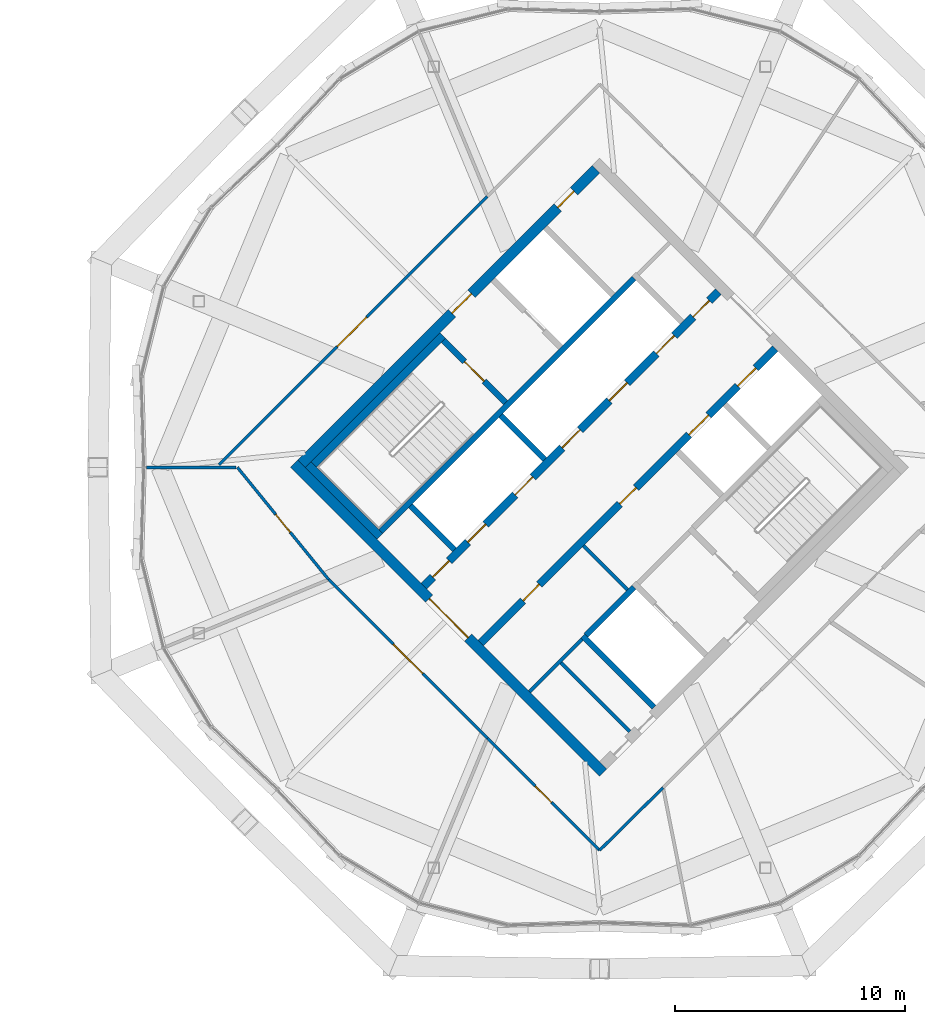
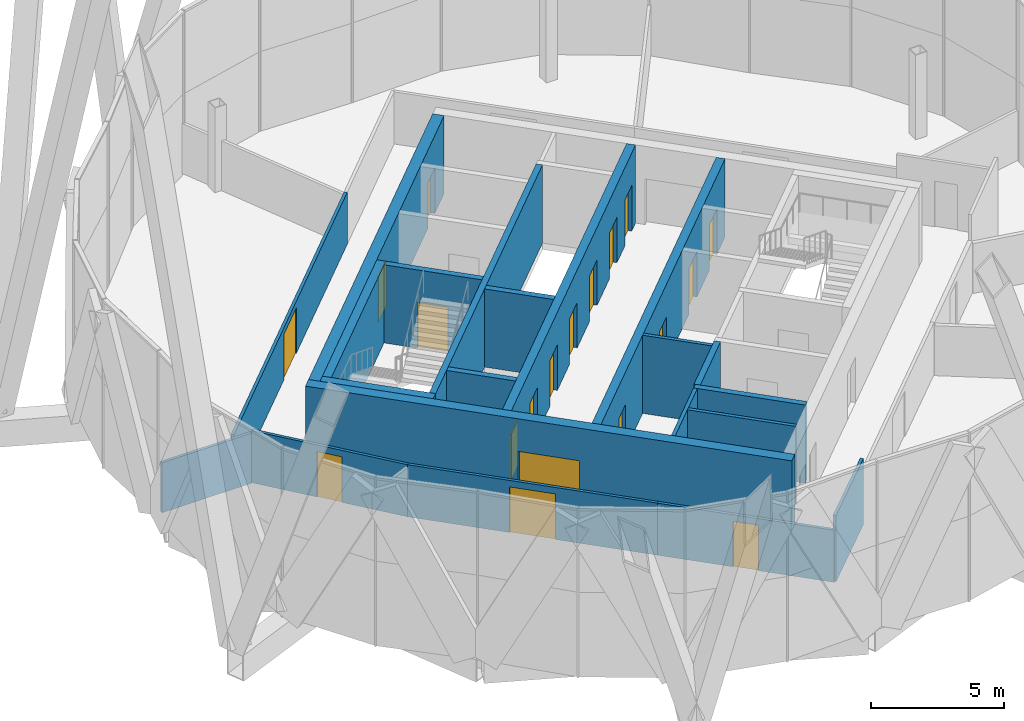
# One storey, part 48 of 53: 21 walls, 19 doors, 19 openings.
"""IFC4 building model written with IfcOpenShell, lengths in metres."""

from ifc_helpers import new_model, si_unit, direction, frame, frame_2d, origin, place, context, subcontext, project, spatial, rectangle, extrude, material, layer, layer_set, type_object, element, fill, save


model = new_model("IFC4")

# Units and contexts
model_context = context("Model", 3, precision=1e-05, world=origin(), true_north=direction((0.0, 1.0)))
body_context = subcontext(model_context, "Body", "Model", "MODEL_VIEW")
ifc_project = project(units=[si_unit("LENGTHUNIT", "METRE"), si_unit("AREAUNIT", "SQUARE_METRE"), si_unit("VOLUMEUNIT", "CUBIC_METRE"), si_unit("PLANEANGLEUNIT", "RADIAN"), si_unit("MASSUNIT", "GRAM", prefix="KILO")], contexts=[model_context])

# Site, building, storey
site_placement = place(None, origin())
site = spatial("IfcSite", under=ifc_project, at=site_placement, CompositionType="ELEMENT")
building_placement = place(site_placement, origin())
building = spatial("IfcBuilding", under=site, at=building_placement, Name="Ogive Gate Towers", CompositionType="ELEMENT")
storey_placement = place(building_placement, frame((0.0, 0.0, 240.60009765625)))
storey = spatial("IfcBuildingStorey", under=building, at=storey_placement, Name="L57", CompositionType="ELEMENT", Elevation=240.60009765625)

# Wall, openings, doors
ifc_material_1 = material(Name="Concrete C60/75", Category="concrete")
ifc_layer_1 = layer(ifc_material_1, 0.449951171875)
ifc_layer_set_1 = layer_set([ifc_layer_1], Name="Core wall 450 mm")
wall_type_1 = type_object("IfcWallType", Name="Core wall 450 mm", PredefinedType="SHEAR", material=ifc_layer_set_1)
wall_1_placement = place(storey_placement, frame((23.042236328125, 0.1591796875, 0.0), z_axis=(0.0, 0.0, 1.0), x_axis=(0.707106781187, 0.707106781187, 0.0)))
wall_1 = element("IfcWall", 1, at=wall_1_placement, inside=storey, type_object=wall_type_1, Name="T2 L57 Core wall 450 mm", PredefinedType="SHEAR", context=body_context, shape_type="SweptSolid", body=[
    extrude(rectangle(XDim=18.099853515625, YDim=0.449951171875, at=frame_2d((9.0498046875, 0.0))), origin(), (0.0, 0.0, 1.0), 3.599853515625),
])
opening_1_placement = place(wall_1_placement, frame((9.25, 0.0, 0.0)))
opening_1 = element("IfcOpeningElement", 2, at=opening_1_placement, cuts=wall_1, Name="Opening KD-T2-L57-18", PredefinedType="OPENING", context=body_context, shape_type="SweptSolid", body=[
    extrude(rectangle(XDim=1.199951171875, YDim=2.10009765625, at=frame_2d((0.60009765625, 1.050048828125))), frame((0.0, 0.23486328125, 0.0), z_axis=(0.0, -1.0, 0.0), x_axis=(1.0, 0.0, 0.0)), (0.0, 0.0, 1.0), 0.469970703125),
])
opening_2_placement = place(wall_1_placement, frame((15.75, 0.0, 0.0)))
opening_2 = element("IfcOpeningElement", 3, at=opening_2_placement, cuts=wall_1, Name="Opening KD-T2-L57-20", PredefinedType="OPENING", context=body_context, shape_type="SweptSolid", body=[
    extrude(rectangle(XDim=1.0, YDim=2.10009765625, at=frame_2d((0.5, 1.050048828125))), frame((0.0, 0.23486328125, 0.0), z_axis=(0.0, -1.0, 0.0), x_axis=(1.0, 0.0, 0.0)), (0.0, 0.0, 1.0), 0.469970703125),
])
ifc_material_2 = material(Name="Timber door", Category="wood")
door_type_1 = type_object("IfcDoorType", Name="Accessible WC door 1000 x 2100", OperationType="NOTDEFINED", PredefinedType="DOOR", material=ifc_material_2)
door_1_placement = place(opening_2_placement, origin())
door_1 = element("IfcDoor", 4, at=door_1_placement, inside=storey, type_object=door_type_1, Name="T2 L57 Core door", OperationType="SINGLE_SWING_LEFT", OverallHeight=2.10009765625, OverallWidth=1.0, PredefinedType="DOOR", context=body_context, shape_type="SweptSolid", body=[
    extrude(rectangle(XDim=1.0, YDim=2.10009765625, at=frame_2d((0.5, 1.050048828125))), frame((0.0, 0.02490234375, 0.0), z_axis=(0.0, -1.0, 0.0), x_axis=(1.0, 0.0, 0.0)), (0.0, 0.0, 1.0), 0.050048828125),
])
fill(opening_2, door_1)
ifc_material_3 = material(Name="Steel fire door", Category="steel")
door_type_2 = type_object("IfcDoorType", Name="Core door FD60S 1200 x 2100", OperationType="NOTDEFINED", PredefinedType="DOOR", material=ifc_material_3)
door_2_placement = place(opening_1_placement, origin())
door_2 = element("IfcDoor", 5, at=door_2_placement, inside=storey, type_object=door_type_2, Name="T2 L57 Fire-fighting lobby door", OperationType="SINGLE_SWING_LEFT", OverallHeight=2.10009765625, OverallWidth=1.199951171875, PredefinedType="DOOR", context=body_context, shape_type="SweptSolid", body=[
    extrude(rectangle(XDim=1.199951171875, YDim=2.10009765625, at=frame_2d((0.60009765625, 1.050048828125))), frame((0.0, 0.02490234375, 0.0), z_axis=(0.0, -1.0, 0.0), x_axis=(1.0, 0.0, 0.0)), (0.0, 0.0, 1.0), 0.050048828125),
])
fill(opening_1, door_2)

# Wall, opening, door
wall_2_placement = place(storey_placement, frame((36.1591796875, -13.27587890625, 0.0), z_axis=(0.0, 0.0, 1.0), x_axis=(-0.707106781187, 0.707106781187, 0.0)))
wall_2 = element("IfcWall", 6, at=wall_2_placement, inside=storey, type_object=wall_type_1, Name="T2 L57 Core wall 450 mm", PredefinedType="SHEAR", context=body_context, shape_type="SweptSolid", body=[
    extrude(rectangle(XDim=19.0, YDim=0.449951171875, at=frame_2d((9.5, 0.0))), origin(), (0.0, 0.0, 1.0), 3.599853515625),
])
opening_3_placement = place(wall_2_placement, frame((8.300048828125, 0.0, 0.0)))
opening_3 = element("IfcOpeningElement", 7, at=opening_3_placement, cuts=wall_2, Name="Opening KD-T2-L57-01", PredefinedType="OPENING", context=body_context, shape_type="SweptSolid", body=[
    extrude(rectangle(XDim=2.39990234375, YDim=2.10009765625, at=frame_2d((1.199951171875, 1.050048828125))), frame((0.0, 0.23486328125, 0.0), z_axis=(0.0, -1.0, 0.0), x_axis=(1.0, 0.0, 0.0)), (0.0, 0.0, 1.0), 0.469970703125),
])
door_type_3 = type_object("IfcDoorType", Name="Core double door FD60S 2400 x 2100", OperationType="DOUBLE_DOOR_SINGLE_SWING", PredefinedType="DOOR", material=ifc_material_3)
door_3_placement = place(opening_3_placement, origin())
door_3 = element("IfcDoor", 8, at=door_3_placement, inside=storey, type_object=door_type_3, Name="T2 L57 Core door double", OperationType="DOUBLE_DOOR_SINGLE_SWING", OverallHeight=2.10009765625, OverallWidth=2.39990234375, PredefinedType="DOOR", context=body_context, shape_type="SweptSolid", body=[
    extrude(rectangle(XDim=2.39990234375, YDim=2.10009765625, at=frame_2d((1.199951171875, 1.050048828125))), frame((0.0, 0.02490234375, 0.0), z_axis=(0.0, -1.0, 0.0), x_axis=(1.0, 0.0, 0.0)), (0.0, 0.0, 1.0), 0.050048828125),
])
fill(opening_3, door_3)

# Wall
ifc_material_4 = material(Name="Gypsum board partition")
ifc_layer_2 = layer(ifc_material_4, 0.125)
ifc_layer_set_2 = layer_set([ifc_layer_2], Name="Partition 125")
wall_type_2 = type_object("IfcWallType", Name="Partition 125", PredefinedType="PARTITIONING", material=ifc_layer_set_2)
wall_3_placement = place(storey_placement, frame((16.291015625, 0.0, 0.0), z_axis=(0.0, 0.0, 1.0), x_axis=(1.0, 0.0, 0.0)))
element("IfcWall", 9, at=wall_3_placement, inside=storey, type_object=wall_type_2, Name="Partition T2-L57-004", PredefinedType="PARTITIONING", context=body_context, shape_type="SweptSolid", body=[
    extrude(rectangle(XDim=3.896484375, YDim=0.125, at=frame_2d((1.9482421875, 0.0))), origin(), (0.0, 0.0, 1.0), 2.2998046875),
])

# Wall, opening, door
wall_4_placement = place(storey_placement, frame((31.120361328125, 11.780517578125, 0.0), z_axis=(0.0, 0.0, 1.0), x_axis=(-0.707084584562, -0.707128977115, 0.0)))
wall_4 = element("IfcWall", 10, at=wall_4_placement, inside=storey, type_object=wall_type_2, Name="Partition T2-L57-010", PredefinedType="PARTITIONING", context=body_context, shape_type="SweptSolid", body=[
    extrude(rectangle(XDim=16.498779296875, YDim=0.125, at=frame_2d((8.24951171875, 0.0))), origin(), (0.0, 0.0, 1.0), 2.39990234375),
])
opening_4_placement = place(wall_4_placement, frame((7.429931640625, 0.0, 0.0)))
opening_4 = element("IfcOpeningElement", 11, at=opening_4_placement, cuts=wall_4, Name="Opening T2-L57-D01", PredefinedType="OPENING", context=body_context, shape_type="SweptSolid", body=[
    extrude(rectangle(XDim=1.800048828125, YDim=2.10009765625, at=frame_2d((0.89990234375, 1.050048828125))), frame((0.0, 0.072509765625, 0.0), z_axis=(0.0, -1.0, 0.0), x_axis=(1.0, 0.0, 0.0)), (0.0, 0.0, 1.0), 0.14501953125),
])
door_type_4 = type_object("IfcDoorType", Name="Door pair 1800", OperationType="NOTDEFINED", PredefinedType="DOOR", material=ifc_material_2)
door_4_placement = place(opening_4_placement, origin())
door_4 = element("IfcDoor", 12, at=door_4_placement, inside=storey, type_object=door_type_4, Name="Door T2-L57-D01", OperationType="DOUBLE_DOOR_DOUBLE_SWING", OverallHeight=2.10009765625, OverallWidth=1.800048828125, PredefinedType="DOOR", context=body_context, shape_type="SweptSolid", body=[
    extrude(rectangle(XDim=1.800048828125, YDim=2.10009765625, at=frame_2d((0.89990234375, 1.050048828125))), frame((0.0, 0.02490234375, 0.0), z_axis=(0.0, -1.0, 0.0), x_axis=(1.0, 0.0, 0.0)), (0.0, 0.0, 1.0), 0.050048828125),
])
fill(opening_4, door_4)

wall_5_placement = place(storey_placement, frame((20.25, 0.0, 0.0), z_axis=(0.0, 0.0, 1.0), x_axis=(0.631049861977, -0.77574227144, 0.0)))
wall_5 = element("IfcWall", 13, at=wall_5_placement, inside=storey, type_object=wall_type_2, Name="Partition T2-L57-011", PredefinedType="PARTITIONING", context=body_context, shape_type="SweptSolid", body=[
    extrude(rectangle(XDim=6.290283203125, YDim=0.125, at=frame_2d((3.14501953125, 0.0))), origin(), (0.0, 0.0, 1.0), 2.39990234375),
])
opening_5_placement = place(wall_5_placement, frame((2.64501953125, 0.0, 0.0)))
opening_5 = element("IfcOpeningElement", 14, at=opening_5_placement, cuts=wall_5, Name="Opening T2-L57-D02", PredefinedType="OPENING", context=body_context, shape_type="SweptSolid", body=[
    extrude(rectangle(XDim=1.0, YDim=2.10009765625, at=frame_2d((0.5, 1.050048828125))), frame((0.0, 0.072509765625, 0.0), z_axis=(0.0, -1.0, 0.0), x_axis=(1.0, 0.0, 0.0)), (0.0, 0.0, 1.0), 0.14501953125),
])
door_type_5 = type_object("IfcDoorType", Name="Door 1000", OperationType="NOTDEFINED", PredefinedType="DOOR", material=ifc_material_2)
door_5_placement = place(opening_5_placement, origin())
door_5 = element("IfcDoor", 15, at=door_5_placement, inside=storey, type_object=door_type_5, Name="Door T2-L57-D02", OperationType="SINGLE_SWING_RIGHT", OverallHeight=2.10009765625, OverallWidth=1.0, PredefinedType="DOOR", context=body_context, shape_type="SweptSolid", body=[
    extrude(rectangle(XDim=1.0, YDim=2.10009765625, at=frame_2d((0.5, 1.050048828125))), frame((0.0, 0.02490234375, 0.0), z_axis=(0.0, -1.0, 0.0), x_axis=(1.0, 0.0, 0.0)), (0.0, 0.0, 1.0), 0.050048828125),
])
fill(opening_5, door_5)

wall_6_placement = place(storey_placement, frame((24.219482421875, -4.879638671875, 0.0), z_axis=(0.0, 0.0, 1.0), x_axis=(0.707106781187, -0.707106781187, 0.0)))
wall_6 = element("IfcWall", 16, at=wall_6_placement, inside=storey, type_object=wall_type_2, Name="Partition T2-L57-012", PredefinedType="PARTITIONING", context=body_context, shape_type="SweptSolid", body=[
    extrude(rectangle(XDim=9.75927734375, YDim=0.125, at=frame_2d((4.879638671875, 0.0))), origin(), (0.0, 0.0, 1.0), 2.39990234375),
])
opening_6_placement = place(wall_6_placement, frame((3.97998046875, 0.0, 0.0)))
opening_6 = element("IfcOpeningElement", 17, at=opening_6_placement, cuts=wall_6, Name="Opening T2-L57-D03", PredefinedType="OPENING", context=body_context, shape_type="SweptSolid", body=[
    extrude(rectangle(XDim=1.800048828125, YDim=2.10009765625, at=frame_2d((0.89990234375, 1.050048828125))), frame((0.0, 0.072509765625, 0.0), z_axis=(0.0, -1.0, 0.0), x_axis=(1.0, 0.0, 0.0)), (0.0, 0.0, 1.0), 0.14501953125),
])
door_6_placement = place(opening_6_placement, origin())
door_6 = element("IfcDoor", 18, at=door_6_placement, inside=storey, type_object=door_type_4, Name="Door T2-L57-D03", OperationType="DOUBLE_DOOR_DOUBLE_SWING", OverallHeight=2.10009765625, OverallWidth=1.800048828125, PredefinedType="DOOR", context=body_context, shape_type="SweptSolid", body=[
    extrude(rectangle(XDim=1.800048828125, YDim=2.10009765625, at=frame_2d((0.89990234375, 1.050048828125))), frame((0.0, 0.02490234375, 0.0), z_axis=(0.0, -1.0, 0.0), x_axis=(1.0, 0.0, 0.0)), (0.0, 0.0, 1.0), 0.050048828125),
])
fill(opening_6, door_6)

wall_7_placement = place(storey_placement, frame((31.120361328125, -11.780517578125, 0.0), z_axis=(0.0, 0.0, 1.0), x_axis=(0.70715985068, -0.70705370771, 0.0)))
wall_7 = element("IfcWall", 19, at=wall_7_placement, inside=storey, type_object=wall_type_2, Name="Partition T2-L57-013", PredefinedType="PARTITIONING", context=body_context, shape_type="SweptSolid", body=[
    extrude(rectangle(XDim=6.900390625, YDim=0.125, at=frame_2d((3.4501953125, 0.0))), origin(), (0.0, 0.0, 1.0), 2.39990234375),
])
opening_7_placement = place(wall_7_placement, frame((2.949951171875, 0.0, 0.0)))
opening_7 = element("IfcOpeningElement", 20, at=opening_7_placement, cuts=wall_7, Name="Opening T2-L57-D04", PredefinedType="OPENING", context=body_context, shape_type="SweptSolid", body=[
    extrude(rectangle(XDim=1.0, YDim=2.10009765625, at=frame_2d((0.5, 1.050048828125))), frame((0.0, 0.072509765625, 0.0), z_axis=(0.0, -1.0, 0.0), x_axis=(1.0, 0.0, 0.0)), (0.0, 0.0, 1.0), 0.14501953125),
])
door_7_placement = place(opening_7_placement, origin())
door_7 = element("IfcDoor", 21, at=door_7_placement, inside=storey, type_object=door_type_5, Name="Door T2-L57-D04", OperationType="SINGLE_SWING_RIGHT", OverallHeight=2.10009765625, OverallWidth=1.0, PredefinedType="DOOR", context=body_context, shape_type="SweptSolid", body=[
    extrude(rectangle(XDim=1.0, YDim=2.10009765625, at=frame_2d((0.5, 1.050048828125))), frame((0.0, 0.02490234375, 0.0), z_axis=(0.0, -1.0, 0.0), x_axis=(1.0, 0.0, 0.0)), (0.0, 0.0, 1.0), 0.050048828125),
])
fill(opening_7, door_7)

# Walls
wall_8_placement = place(storey_placement, frame((36.0, -16.659423828125, 0.0), z_axis=(0.0, 0.0, 1.0), x_axis=(0.711460203282, 0.702726389959, 0.0)))
element("IfcWall", 22, at=wall_8_placement, inside=storey, type_object=wall_type_2, Name="Partition T2-L57-014", PredefinedType="PARTITIONING", context=body_context, shape_type="SweptSolid", body=[
    extrude(rectangle(XDim=3.885498046875, YDim=0.125, at=frame_2d((1.94287109375, 0.0))), origin(), (0.0, 0.0, 1.0), 3.0498046875),
])
ifc_layer_3 = layer(ifc_material_4, 0.14990234375)
ifc_layer_set_3 = layer_set([ifc_layer_3], Name="Room partition 150 mm")
wall_type_3 = type_object("IfcWallType", Name="Room partition 150 mm", PredefinedType="PARTITIONING", material=ifc_layer_set_3)
wall_9_placement = place(storey_placement, frame((32.95947265625, -9.758056640625, 0.0), z_axis=(0.0, 0.0, 1.0), x_axis=(0.707144631829, 0.707068928518, 0.0)))
element("IfcWall", 23, at=wall_9_placement, inside=storey, type_object=wall_type_3, Name="T2 L57 Room partition 150 mm", PredefinedType="PARTITIONING", context=body_context, shape_type="SweptSolid", body=[
    extrude(rectangle(XDim=3.224853515625, YDim=0.14990234375, at=frame_2d((1.6123046875, 0.0))), origin(), (0.0, 0.0, 1.0), 3.599853515625),
])
wall_10_placement = place(storey_placement, frame((37.30810546875, -11.490478515625, 0.0), z_axis=(0.0, 0.0, 1.0), x_axis=(-0.707106781187, 0.707106781187, 0.0)))
element("IfcWall", 24, at=wall_10_placement, inside=storey, type_object=wall_type_3, Name="T2 L57 Room partition 150 mm", PredefinedType="PARTITIONING", context=body_context, shape_type="SweptSolid", body=[
    extrude(rectangle(XDim=4.22509765625, YDim=0.14990234375, at=frame_2d((2.112548828125, 0.0))), origin(), (0.0, 0.0, 1.0), 3.599853515625),
])
wall_11_placement = place(storey_placement, frame((37.2197265625, -5.321044921875, 0.0), z_axis=(0.0, 0.0, 1.0), x_axis=(-0.707106781187, 0.707106781187, 0.0)))
element("IfcWall", 25, at=wall_11_placement, inside=storey, type_object=wall_type_3, Name="T2 L57 Room partition 150 mm", PredefinedType="PARTITIONING", context=body_context, shape_type="SweptSolid", body=[
    extrude(rectangle(XDim=2.699951171875, YDim=0.14990234375, at=frame_2d((1.35009765625, 0.0))), origin(), (0.0, 0.0, 1.0), 3.599853515625),
])
ifc_layer_4 = layer(ifc_material_1, 0.25)
ifc_layer_set_4 = layer_set([ifc_layer_4], Name="Shaft wall 250 mm")
wall_type_4 = type_object("IfcWallType", Name="Shaft wall 250 mm", PredefinedType="SHEAR", material=ifc_layer_set_4)
wall_12_placement = place(storey_placement, frame((35.41650390625, -7.30078125, 0.0), z_axis=(0.0, 0.0, 1.0), x_axis=(0.707148157867, 0.707065402085, 0.0)))
element("IfcWall", 26, at=wall_12_placement, inside=storey, type_object=wall_type_4, Name="T2 L57 Shaft wall 250 mm", PredefinedType="SHEAR", context=body_context, shape_type="SweptSolid", body=[
    extrude(rectangle(XDim=2.9501953125, YDim=0.25, at=frame_2d((1.47509765625, 0.0))), origin(), (0.0, 0.0, 1.0), 3.599853515625),
])
wall_13_placement = place(storey_placement, frame((26.489501953125, -2.793212890625, 0.0), z_axis=(0.0, 0.0, 1.0), x_axis=(0.707098943647, 0.70711461864, 0.0)))
element("IfcWall", 27, at=wall_13_placement, inside=storey, type_object=wall_type_4, Name="T2 L57 Shaft wall 250 mm", PredefinedType="SHEAR", context=body_context, shape_type="SweptSolid", body=[
    extrude(rectangle(XDim=15.5751953125, YDim=0.25, at=frame_2d((7.78759765625, 0.0))), origin(), (0.0, 0.0, 1.0), 3.599853515625),
])
wall_14_placement = place(storey_placement, frame((29.689208984375, -3.588623046875, 0.0), z_axis=(0.0, 0.0, 1.0), x_axis=(-0.707151988282, 0.707061571201, 0.0)))
element("IfcWall", 28, at=wall_14_placement, inside=storey, type_object=wall_type_4, Name="T2 L57 Shaft wall 250 mm", PredefinedType="SHEAR", context=body_context, shape_type="SweptSolid", body=[
    extrude(rectangle(XDim=2.7001953125, YDim=0.25, at=frame_2d((1.35009765625, 0.0))), origin(), (0.0, 0.0, 1.0), 3.599853515625),
])
wall_15_placement = place(storey_placement, frame((38.368896484375, -10.4296875, 0.0), z_axis=(0.0, 0.0, 1.0), x_axis=(-0.707134682099, 0.707078879173, 0.0)))
element("IfcWall", 29, at=wall_15_placement, inside=storey, type_object=wall_type_4, Name="T2 L57 Shaft wall 250 mm", PredefinedType="SHEAR", context=body_context, shape_type="SweptSolid", body=[
    extrude(rectangle(XDim=4.375, YDim=0.25, at=frame_2d((2.1875, 0.0))), origin(), (0.0, 0.0, 1.0), 3.599853515625),
])
wall_16_placement = place(storey_placement, frame((33.613525390625, 0.3359375, 0.0), z_axis=(0.0, 0.0, 1.0), x_axis=(-0.707106781187, 0.707106781187, 0.0)))
element("IfcWall", 30, at=wall_16_placement, inside=storey, type_object=wall_type_4, Name="T2 L57 Shaft wall 250 mm", PredefinedType="SHEAR", context=body_context, shape_type="SweptSolid", body=[
    extrude(rectangle(XDim=2.699951171875, YDim=0.25, at=frame_2d((1.35009765625, 0.0))), origin(), (0.0, 0.0, 1.0), 3.599853515625),
])

# Wall, opening, door
wall_17_placement = place(storey_placement, frame((31.91650390625, 2.810791015625, 0.0), z_axis=(0.0, 0.0, 1.0), x_axis=(-0.707106781187, 0.707106781187, 0.0)))
wall_17 = element("IfcWall", 31, at=wall_17_placement, inside=storey, type_object=wall_type_4, Name="T2 L57 Shaft wall 250 mm", PredefinedType="SHEAR", context=body_context, shape_type="SweptSolid", body=[
    extrude(rectangle(XDim=3.824951171875, YDim=0.25, at=frame_2d((1.91259765625, 0.0))), origin(), (0.0, 0.0, 1.0), 3.599853515625),
])
opening_8_placement = place(wall_17_placement, frame((1.324951171875, 0.0, 0.0)))
opening_8 = element("IfcOpeningElement", 32, at=opening_8_placement, cuts=wall_17, Name="Opening KD-T2-L57-16", PredefinedType="OPENING", context=body_context, shape_type="SweptSolid", body=[
    extrude(rectangle(XDim=1.199951171875, YDim=2.10009765625, at=frame_2d((0.60009765625, 1.050048828125))), frame((0.0, 0.135009765625, 0.0), z_axis=(0.0, -1.0, 0.0), x_axis=(1.0, 0.0, 0.0)), (0.0, 0.0, 1.0), 0.27001953125),
])
door_8_placement = place(opening_8_placement, origin())
door_8 = element("IfcDoor", 33, at=door_8_placement, inside=storey, type_object=door_type_2, Name="T2 L57 Stair door", OperationType="SINGLE_SWING_LEFT", OverallHeight=2.10009765625, OverallWidth=1.199951171875, PredefinedType="DOOR", context=body_context, shape_type="SweptSolid", body=[
    extrude(rectangle(XDim=1.199951171875, YDim=2.10009765625, at=frame_2d((0.60009765625, 1.050048828125))), frame((0.0, 0.02490234375, 0.0), z_axis=(0.0, -1.0, 0.0), x_axis=(1.0, 0.0, 0.0)), (0.0, 0.0, 1.0), 0.050048828125),
])
fill(opening_8, door_8)

# Wall, openings, doors
ifc_layer_5 = layer(ifc_material_1, 0.35009765625)
ifc_layer_set_5 = layer_set([ifc_layer_5], Name="Spine wall 350 mm")
wall_type_5 = type_object("IfcWallType", Name="Spine wall 350 mm", PredefinedType="SHEAR", material=ifc_layer_set_5)
wall_18_placement = place(storey_placement, frame((30.838134765625, -7.63671875, 0.0), z_axis=(0.0, 0.0, 1.0), x_axis=(0.707106781187, 0.707106781187, 0.0)))
wall_18 = element("IfcWall", 34, at=wall_18_placement, inside=storey, type_object=wall_type_5, Name="T2 L57 Spine wall 350 mm", PredefinedType="SHEAR", context=body_context, shape_type="SweptSolid", body=[
    extrude(rectangle(XDim=18.099853515625, YDim=0.35009765625, at=frame_2d((9.0498046875, 0.0))), origin(), (0.0, 0.0, 1.0), 3.599853515625),
])
opening_9_placement = place(wall_18_placement, frame((12.800048828125, 0.0, 0.0)))
opening_9 = element("IfcOpeningElement", 35, at=opening_9_placement, cuts=wall_18, Name="Opening LD-T2-L57-10", PredefinedType="OPENING", context=body_context, shape_type="SweptSolid", body=[
    extrude(rectangle(XDim=1.199951171875, YDim=2.10009765625, at=frame_2d((0.60009765625, 1.050048828125))), frame((0.0, 0.18505859375, 0.0), z_axis=(0.0, -1.0, 0.0), x_axis=(1.0, 0.0, 0.0)), (0.0, 0.0, 1.0), 0.3701171875),
])
opening_10_placement = place(wall_18_placement, frame((15.800048828125, 0.0, 0.0)))
opening_10 = element("IfcOpeningElement", 36, at=opening_10_placement, cuts=wall_18, Name="Opening LD-T2-L57-11", PredefinedType="OPENING", context=body_context, shape_type="SweptSolid", body=[
    extrude(rectangle(XDim=1.10009765625, YDim=2.10009765625, at=frame_2d((0.550048828125, 1.050048828125))), frame((0.0, 0.18505859375, 0.0), z_axis=(0.0, -1.0, 0.0), x_axis=(1.0, 0.0, 0.0)), (0.0, 0.0, 1.0), 0.3701171875),
])
opening_11_placement = place(wall_18_placement, frame((2.60009765625, 0.0, 0.0)))
opening_11 = element("IfcOpeningElement", 37, at=opening_11_placement, cuts=wall_18, Name="Opening KD-T2-L57-14", PredefinedType="OPENING", context=body_context, shape_type="SweptSolid", body=[
    extrude(rectangle(XDim=1.0, YDim=2.10009765625, at=frame_2d((0.5, 1.050048828125))), frame((0.0, 0.18505859375, 0.0), z_axis=(0.0, -1.0, 0.0), x_axis=(1.0, 0.0, 0.0)), (0.0, 0.0, 1.0), 0.3701171875),
])
opening_12_placement = place(wall_18_placement, frame((8.550048828125, 0.0, 0.0)))
opening_12 = element("IfcOpeningElement", 38, at=opening_12_placement, cuts=wall_18, Name="Opening KD-T2-L57-15", PredefinedType="OPENING", context=body_context, shape_type="SweptSolid", body=[
    extrude(rectangle(XDim=1.0, YDim=2.10009765625, at=frame_2d((0.5, 1.050048828125))), frame((0.0, 0.18505859375, 0.0), z_axis=(0.0, -1.0, 0.0), x_axis=(1.0, 0.0, 0.0)), (0.0, 0.0, 1.0), 0.3701171875),
])
door_type_6 = type_object("IfcDoorType", Name="Core door FD60S 1000 x 2100", OperationType="NOTDEFINED", PredefinedType="DOOR", material=ifc_material_3)
door_9_placement = place(opening_11_placement, origin())
door_9 = element("IfcDoor", 39, at=door_9_placement, inside=storey, type_object=door_type_6, Name="T2 L57 Core door", OperationType="SINGLE_SWING_LEFT", OverallHeight=2.10009765625, OverallWidth=1.0, PredefinedType="DOOR", context=body_context, shape_type="SweptSolid", body=[
    extrude(rectangle(XDim=1.0, YDim=2.10009765625, at=frame_2d((0.5, 1.050048828125))), frame((0.0, 0.02490234375, 0.0), z_axis=(0.0, -1.0, 0.0), x_axis=(1.0, 0.0, 0.0)), (0.0, 0.0, 1.0), 0.050048828125),
])
fill(opening_11, door_9)
door_10_placement = place(opening_12_placement, origin())
door_10 = element("IfcDoor", 40, at=door_10_placement, inside=storey, type_object=door_type_6, Name="T2 L57 Core door", OperationType="SINGLE_SWING_RIGHT", OverallHeight=2.10009765625, OverallWidth=1.0, PredefinedType="DOOR", context=body_context, shape_type="SweptSolid", body=[
    extrude(rectangle(XDim=1.0, YDim=2.10009765625, at=frame_2d((0.5, 1.050048828125))), frame((0.0, 0.02490234375, 0.0), z_axis=(0.0, -1.0, 0.0), x_axis=(1.0, 0.0, 0.0)), (0.0, 0.0, 1.0), 0.050048828125),
])
fill(opening_12, door_10)
ifc_material_5 = material(Name="Stainless steel landing door", Category="steel")
door_type_7 = type_object("IfcDoorType", Name="Landing door 1100 x 2100", OperationType="SLIDING_TO_LEFT", PredefinedType="DOOR", material=ifc_material_5)
door_11_placement = place(opening_10_placement, origin())
door_11 = element("IfcDoor", 41, at=door_11_placement, inside=storey, type_object=door_type_7, Name="T2 L57 Lift landing door B6", OperationType="SLIDING_TO_LEFT", OverallHeight=2.10009765625, OverallWidth=1.10009765625, PredefinedType="DOOR", context=body_context, shape_type="SweptSolid", body=[
    extrude(rectangle(XDim=1.10009765625, YDim=2.10009765625, at=frame_2d((0.550048828125, 1.050048828125))), frame((0.0, 0.02490234375, 0.0), z_axis=(0.0, -1.0, 0.0), x_axis=(1.0, 0.0, 0.0)), (0.0, 0.0, 1.0), 0.050048828125),
])
fill(opening_10, door_11)
door_type_8 = type_object("IfcDoorType", Name="Landing door 1200 x 2100", OperationType="SLIDING_TO_LEFT", PredefinedType="DOOR", material=ifc_material_5)
door_12_placement = place(opening_9_placement, origin())
door_12 = element("IfcDoor", 42, at=door_12_placement, inside=storey, type_object=door_type_8, Name="T2 L57 Lift landing door SVC", OperationType="SLIDING_TO_LEFT", OverallHeight=2.10009765625, OverallWidth=1.199951171875, PredefinedType="DOOR", context=body_context, shape_type="SweptSolid", body=[
    extrude(rectangle(XDim=1.199951171875, YDim=2.10009765625, at=frame_2d((0.60009765625, 1.050048828125))), frame((0.0, 0.02490234375, 0.0), z_axis=(0.0, -1.0, 0.0), x_axis=(1.0, 0.0, 0.0)), (0.0, 0.0, 1.0), 0.050048828125),
])
fill(opening_9, door_12)

wall_19_placement = place(storey_placement, frame((28.36328125, -5.161865234375, 0.0), z_axis=(0.0, 0.0, 1.0), x_axis=(0.707106781187, 0.707106781187, 0.0)))
wall_19 = element("IfcWall", 43, at=wall_19_placement, inside=storey, type_object=wall_type_5, Name="T2 L57 Spine wall 350 mm", PredefinedType="SHEAR", context=body_context, shape_type="SweptSolid", body=[
    extrude(rectangle(XDim=18.099853515625, YDim=0.35009765625, at=frame_2d((9.0498046875, 0.0))), origin(), (0.0, 0.0, 1.0), 3.599853515625),
])
opening_13_placement = place(wall_19_placement, frame((0.550048828125, 0.0, 0.0)))
opening_13 = element("IfcOpeningElement", 44, at=opening_13_placement, cuts=wall_19, Name="Opening KD-T2-L57-03", PredefinedType="OPENING", context=body_context, shape_type="SweptSolid", body=[
    extrude(rectangle(XDim=1.0, YDim=2.10009765625, at=frame_2d((0.5, 1.050048828125))), frame((0.0, 0.18505859375, 0.0), z_axis=(0.0, -1.0, 0.0), x_axis=(1.0, 0.0, 0.0)), (0.0, 0.0, 1.0), 0.3701171875),
])
opening_14_placement = place(wall_19_placement, frame((2.699951171875, 0.0, 0.0)))
opening_14 = element("IfcOpeningElement", 45, at=opening_14_placement, cuts=wall_19, Name="Opening LD-T2-L57-04", PredefinedType="OPENING", context=body_context, shape_type="SweptSolid", body=[
    extrude(rectangle(XDim=1.10009765625, YDim=2.10009765625, at=frame_2d((0.550048828125, 1.050048828125))), frame((0.0, 0.18505859375, 0.0), z_axis=(0.0, -1.0, 0.0), x_axis=(1.0, 0.0, 0.0)), (0.0, 0.0, 1.0), 0.3701171875),
])
opening_15_placement = place(wall_19_placement, frame((5.60009765625, 0.0, 0.0)))
opening_15 = element("IfcOpeningElement", 46, at=opening_15_placement, cuts=wall_19, Name="Opening LD-T2-L57-05", PredefinedType="OPENING", context=body_context, shape_type="SweptSolid", body=[
    extrude(rectangle(XDim=1.10009765625, YDim=2.10009765625, at=frame_2d((0.550048828125, 1.050048828125))), frame((0.0, 0.18505859375, 0.0), z_axis=(0.0, -1.0, 0.0), x_axis=(1.0, 0.0, 0.0)), (0.0, 0.0, 1.0), 0.3701171875),
])
opening_16_placement = place(wall_19_placement, frame((8.5, 0.0, 0.0)))
opening_16 = element("IfcOpeningElement", 47, at=opening_16_placement, cuts=wall_19, Name="Opening LD-T2-L57-06", PredefinedType="OPENING", context=body_context, shape_type="SweptSolid", body=[
    extrude(rectangle(XDim=1.10009765625, YDim=2.10009765625, at=frame_2d((0.550048828125, 1.050048828125))), frame((0.0, 0.18505859375, 0.0), z_axis=(0.0, -1.0, 0.0), x_axis=(1.0, 0.0, 0.0)), (0.0, 0.0, 1.0), 0.3701171875),
])
opening_17_placement = place(wall_19_placement, frame((11.39990234375, 0.0, 0.0)))
opening_17 = element("IfcOpeningElement", 48, at=opening_17_placement, cuts=wall_19, Name="Opening LD-T2-L57-07", PredefinedType="OPENING", context=body_context, shape_type="SweptSolid", body=[
    extrude(rectangle(XDim=1.10009765625, YDim=2.10009765625, at=frame_2d((0.550048828125, 1.050048828125))), frame((0.0, 0.18505859375, 0.0), z_axis=(0.0, -1.0, 0.0), x_axis=(1.0, 0.0, 0.0)), (0.0, 0.0, 1.0), 0.3701171875),
])
opening_18_placement = place(wall_19_placement, frame((14.300048828125, 0.0, 0.0)))
opening_18 = element("IfcOpeningElement", 49, at=opening_18_placement, cuts=wall_19, Name="Opening LD-T2-L57-08", PredefinedType="OPENING", context=body_context, shape_type="SweptSolid", body=[
    extrude(rectangle(XDim=1.10009765625, YDim=2.10009765625, at=frame_2d((0.550048828125, 1.050048828125))), frame((0.0, 0.18505859375, 0.0), z_axis=(0.0, -1.0, 0.0), x_axis=(1.0, 0.0, 0.0)), (0.0, 0.0, 1.0), 0.3701171875),
])
opening_19_placement = place(wall_19_placement, frame((16.550048828125, 0.0, 0.0)))
opening_19 = element("IfcOpeningElement", 50, at=opening_19_placement, cuts=wall_19, Name="Opening KD-T2-L57-09", PredefinedType="OPENING", context=body_context, shape_type="SweptSolid", body=[
    extrude(rectangle(XDim=1.0, YDim=2.10009765625, at=frame_2d((0.5, 1.050048828125))), frame((0.0, 0.18505859375, 0.0), z_axis=(0.0, -1.0, 0.0), x_axis=(1.0, 0.0, 0.0)), (0.0, 0.0, 1.0), 0.3701171875),
])
door_13_placement = place(opening_13_placement, origin())
door_13 = element("IfcDoor", 51, at=door_13_placement, inside=storey, type_object=door_type_6, Name="T2 L57 Core door", OperationType="SINGLE_SWING_RIGHT", OverallHeight=2.10009765625, OverallWidth=1.0, PredefinedType="DOOR", context=body_context, shape_type="SweptSolid", body=[
    extrude(rectangle(XDim=1.0, YDim=2.10009765625, at=frame_2d((0.5, 1.050048828125))), frame((0.0, 0.02490234375, 0.0), z_axis=(0.0, -1.0, 0.0), x_axis=(1.0, 0.0, 0.0)), (0.0, 0.0, 1.0), 0.050048828125),
])
fill(opening_13, door_13)
door_14_placement = place(opening_19_placement, origin())
door_14 = element("IfcDoor", 52, at=door_14_placement, inside=storey, type_object=door_type_6, Name="T2 L57 Core door", OperationType="SINGLE_SWING_RIGHT", OverallHeight=2.10009765625, OverallWidth=1.0, PredefinedType="DOOR", context=body_context, shape_type="SweptSolid", body=[
    extrude(rectangle(XDim=1.0, YDim=2.10009765625, at=frame_2d((0.5, 1.050048828125))), frame((0.0, 0.02490234375, 0.0), z_axis=(0.0, -1.0, 0.0), x_axis=(1.0, 0.0, 0.0)), (0.0, 0.0, 1.0), 0.050048828125),
])
fill(opening_19, door_14)
door_15_placement = place(opening_14_placement, origin())
door_15 = element("IfcDoor", 53, at=door_15_placement, inside=storey, type_object=door_type_7, Name="T2 L57 Lift landing door B1", OperationType="SLIDING_TO_LEFT", OverallHeight=2.10009765625, OverallWidth=1.10009765625, PredefinedType="DOOR", context=body_context, shape_type="SweptSolid", body=[
    extrude(rectangle(XDim=1.10009765625, YDim=2.10009765625, at=frame_2d((0.550048828125, 1.050048828125))), frame((0.0, 0.02490234375, 0.0), z_axis=(0.0, -1.0, 0.0), x_axis=(1.0, 0.0, 0.0)), (0.0, 0.0, 1.0), 0.050048828125),
])
fill(opening_14, door_15)
door_16_placement = place(opening_15_placement, origin())
door_16 = element("IfcDoor", 54, at=door_16_placement, inside=storey, type_object=door_type_7, Name="T2 L57 Lift landing door B2", OperationType="SLIDING_TO_LEFT", OverallHeight=2.10009765625, OverallWidth=1.10009765625, PredefinedType="DOOR", context=body_context, shape_type="SweptSolid", body=[
    extrude(rectangle(XDim=1.10009765625, YDim=2.10009765625, at=frame_2d((0.550048828125, 1.050048828125))), frame((0.0, 0.02490234375, 0.0), z_axis=(0.0, -1.0, 0.0), x_axis=(1.0, 0.0, 0.0)), (0.0, 0.0, 1.0), 0.050048828125),
])
fill(opening_15, door_16)
door_17_placement = place(opening_16_placement, origin())
door_17 = element("IfcDoor", 55, at=door_17_placement, inside=storey, type_object=door_type_7, Name="T2 L57 Lift landing door B3", OperationType="SLIDING_TO_LEFT", OverallHeight=2.10009765625, OverallWidth=1.10009765625, PredefinedType="DOOR", context=body_context, shape_type="SweptSolid", body=[
    extrude(rectangle(XDim=1.10009765625, YDim=2.10009765625, at=frame_2d((0.550048828125, 1.050048828125))), frame((0.0, 0.02490234375, 0.0), z_axis=(0.0, -1.0, 0.0), x_axis=(1.0, 0.0, 0.0)), (0.0, 0.0, 1.0), 0.050048828125),
])
fill(opening_16, door_17)
door_18_placement = place(opening_17_placement, origin())
door_18 = element("IfcDoor", 56, at=door_18_placement, inside=storey, type_object=door_type_7, Name="T2 L57 Lift landing door B4", OperationType="SLIDING_TO_LEFT", OverallHeight=2.10009765625, OverallWidth=1.10009765625, PredefinedType="DOOR", context=body_context, shape_type="SweptSolid", body=[
    extrude(rectangle(XDim=1.10009765625, YDim=2.10009765625, at=frame_2d((0.550048828125, 1.050048828125))), frame((0.0, 0.02490234375, 0.0), z_axis=(0.0, -1.0, 0.0), x_axis=(1.0, 0.0, 0.0)), (0.0, 0.0, 1.0), 0.050048828125),
])
fill(opening_17, door_18)
door_19_placement = place(opening_18_placement, origin())
door_19 = element("IfcDoor", 57, at=door_19_placement, inside=storey, type_object=door_type_7, Name="T2 L57 Lift landing door B5", OperationType="SLIDING_TO_LEFT", OverallHeight=2.10009765625, OverallWidth=1.10009765625, PredefinedType="DOOR", context=body_context, shape_type="SweptSolid", body=[
    extrude(rectangle(XDim=1.10009765625, YDim=2.10009765625, at=frame_2d((0.550048828125, 1.050048828125))), frame((0.0, 0.02490234375, 0.0), z_axis=(0.0, -1.0, 0.0), x_axis=(1.0, 0.0, 0.0)), (0.0, 0.0, 1.0), 0.050048828125),
])
fill(opening_18, door_19)

# Walls
ifc_layer_6 = layer(ifc_material_1, 0.35009765625)
ifc_layer_set_6 = layer_set([ifc_layer_6], Name="Stair wall 350 mm")
wall_type_6 = type_object("IfcWallType", Name="Stair wall 350 mm", PredefinedType="SHEAR", material=ifc_layer_set_6)
wall_20_placement = place(storey_placement, frame((23.572509765625, 0.123779296875, 0.0), z_axis=(0.0, 0.0, 1.0), x_axis=(0.707122184046, 0.707091377991, 0.0)))
element("IfcWall", 58, at=wall_20_placement, inside=storey, type_object=wall_type_6, Name="T2 L57 Stair wall 350 mm", PredefinedType="SHEAR", context=body_context, shape_type="SweptSolid", body=[
    extrude(rectangle(XDim=7.925048828125, YDim=0.35009765625, at=frame_2d((3.96240234375, 0.0))), origin(), (0.0, 0.0, 1.0), 3.599853515625),
])
wall_21_placement = place(storey_placement, frame((26.4541015625, -3.005126953125, 0.0), z_axis=(0.0, 0.0, 1.0), x_axis=(-0.707106781187, 0.707106781187, 0.0)))
element("IfcWall", 59, at=wall_21_placement, inside=storey, type_object=wall_type_6, Name="T2 L57 Stair wall 350 mm", PredefinedType="SHEAR", context=body_context, shape_type="SweptSolid", body=[
    extrude(rectangle(XDim=4.425048828125, YDim=0.35009765625, at=frame_2d((2.21240234375, 0.0))), origin(), (0.0, 0.0, 1.0), 3.599853515625),
])

save(model, "model.ifc")
